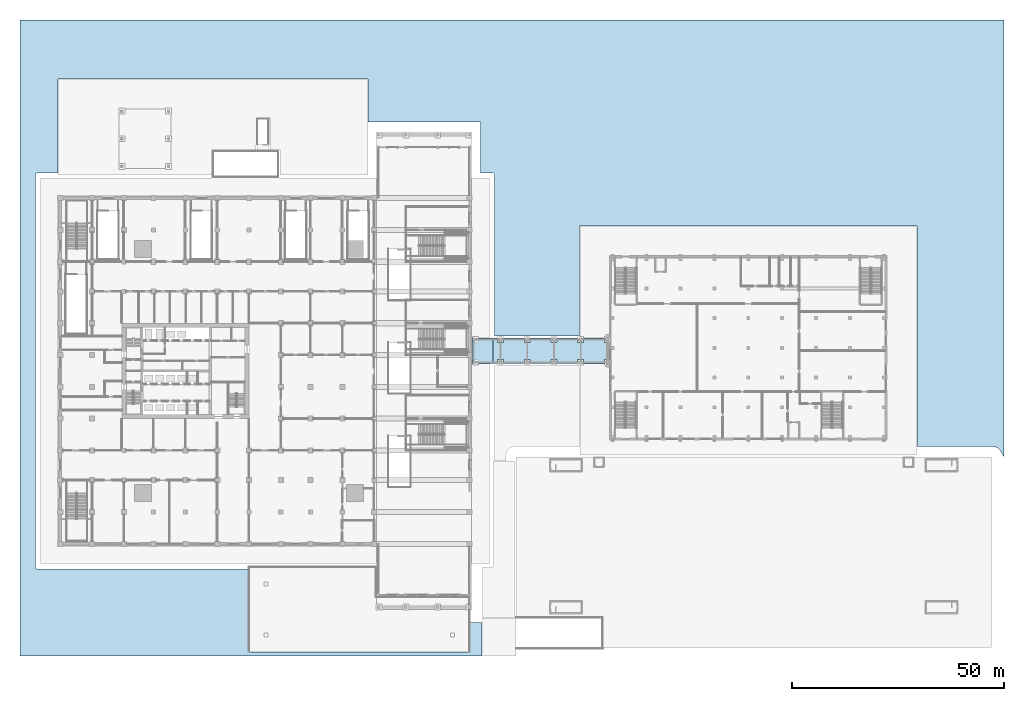
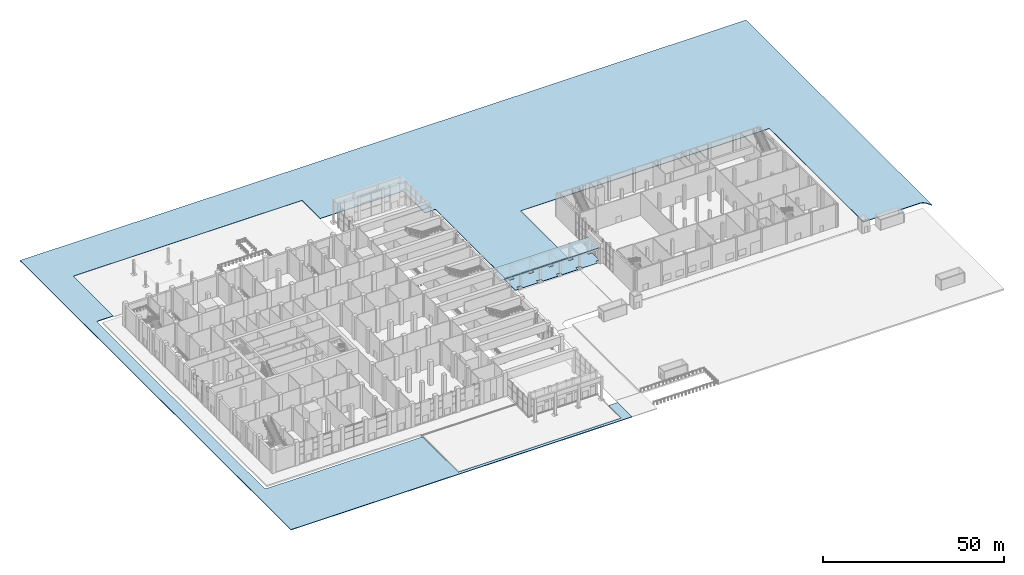
# One storey, part 21 of 57: 3 slabs, 1 element without a shape of its own.
"""IFC4 building model written with IfcOpenShell, lengths in metres."""

import ifcopenshell
import ifcopenshell.guid

model = None  # the IFC model being written
_history = None  # IfcOwnerHistory: only IFC2X3 demands one
_inside = {}  # id of a spatial element -> (the spatial element, [elements in it])
_under = {}  # id of a project, library or spatial element -> (it, [spatial elements below it])
_declared = {}  # id of a project -> (the project, [libraries it declares])
_typed = {}  # id of a type object -> (the type object, [elements of that type])
_made_of = {}  # id of a material, layer set ... -> (it, [elements and type objects made of it])


def new_model(schema):
    """Start an empty IFC model of exactly this schema.

    Asked for "IFC4X3", IfcOpenShell would pick the latest addendum, in which some entities
    have other attributes; the version numbers below select the first issue.
    IFC2X3 requires an IfcOwnerHistory on every rooted entity: one is made here for all.
    """
    global model, _history
    if schema == "IFC4X3":
        model = ifcopenshell.file(schema_version=(4, 3, 0, 0))
    else:
        model = ifcopenshell.file(schema=schema)
    _inside.clear()
    _under.clear()
    _declared.clear()
    _typed.clear()
    _made_of.clear()
    _history = None
    if model.schema == "IFC2X3":
        org = make("IfcOrganization", Name="unknown")
        user = make(
            "IfcPersonAndOrganization",
            ThePerson=make("IfcPerson", FamilyName="unknown"),
            TheOrganization=org,
        )
        app = make(
            "IfcApplication",
            ApplicationDeveloper=org,
            Version="unknown",
            ApplicationFullName="unknown",
            ApplicationIdentifier="unknown",
        )
        _history = make(
            "IfcOwnerHistory",
            OwningUser=user,
            OwningApplication=app,
            ChangeAction="ADDED",
            CreationDate=0,
        )
    return model


def make(cls, **values):
    """One entity of the class cls with the attributes given. An attribute that is None is left unset."""
    return model.create_entity(
        cls, **{name: value for name, value in values.items() if value is not None}
    )


def rooted(cls, **values):
    """An entity with a GlobalId (a new one), such as an element, a storey or a relation."""
    return make(cls, GlobalId=ifcopenshell.guid.new(), OwnerHistory=_history, **values)


def si_unit(unit_type, name, prefix=None):
    """IfcSIUnit, for example si_unit("LENGTHUNIT", "METRE", prefix="MILLI")."""
    return make("IfcSIUnit", UnitType=unit_type, Prefix=prefix, Name=name)


def assignment(units):
    """IfcUnitAssignment: the units of a project."""
    return None if units is None else make("IfcUnitAssignment", Units=units)


def point(xyz):
    """IfcCartesianPoint."""
    return None if xyz is None else make("IfcCartesianPoint", Coordinates=xyz)


def direction(xyz):
    """IfcDirection."""
    return None if xyz is None else make("IfcDirection", DirectionRatios=xyz)


def frame(location, z_axis=None, x_axis=None):
    """IfcAxis2Placement3D, a coordinate frame: its origin and axes. An axis left out is left unset."""
    return make(
        "IfcAxis2Placement3D",
        Location=point(location),
        Axis=direction(z_axis),
        RefDirection=direction(x_axis),
    )


def origin():
    """The frame at (0, 0, 0) with its axes left unset."""
    return frame((0.0, 0.0, 0.0))


def place(relative_to, where):
    """IfcLocalPlacement: puts the frame where relative to a parent placement (None: the world)."""
    return make(
        "IfcLocalPlacement", PlacementRelTo=relative_to, RelativePlacement=where
    )


def context(
    kind, dimensions, precision=None, world=None, true_north=None, identifier=None
):
    """IfcGeometricRepresentationContext, for example the 3D "Model" context."""
    return make(
        "IfcGeometricRepresentationContext",
        ContextIdentifier=identifier,
        ContextType=kind,
        CoordinateSpaceDimension=dimensions,
        Precision=precision,
        WorldCoordinateSystem=world,
        TrueNorth=true_north,
    )


def subcontext(parent, identifier, kind, view, scale=None):
    """IfcGeometricRepresentationSubContext, for example "Body" below "Model"."""
    return make(
        "IfcGeometricRepresentationSubContext",
        ContextIdentifier=identifier,
        ContextType=kind,
        ParentContext=parent,
        TargetScale=scale,
        TargetView=view,
    )


def project(units=None, contexts=None):
    """IfcProject with its units and contexts."""
    return rooted(
        "IfcProject",
        Name="project",
        RepresentationContexts=contexts,
        UnitsInContext=assignment(units),
    )


def spatial(cls, under=None, at=None, **own):
    """A site, building, storey or space (cls), placed at a placement, below another one or the project."""
    s = rooted(cls, ObjectPlacement=at, **own)
    if under is not None:
        _under.setdefault(under.id(), (under, []))[1].append(s)
    return s


def polyline(points):
    """IfcPolyline through the points."""
    return make("IfcPolyline", Points=[point(p) for p in points])


def outline(outer, holes=None, kind="AREA"):
    """IfcArbitraryClosedProfileDef: a profile drawn as a closed curve; with holes, ...WithVoids."""
    if holes is None:
        return make("IfcArbitraryClosedProfileDef", ProfileType=kind, OuterCurve=outer)
    return make(
        "IfcArbitraryProfileDefWithVoids",
        ProfileType=kind,
        OuterCurve=outer,
        InnerCurves=holes,
    )


def extrude(swept, where, along, depth):
    """IfcExtrudedAreaSolid: the profile swept, set in the frame where, extruded along a direction by depth."""
    return make(
        "IfcExtrudedAreaSolid",
        SweptArea=swept,
        Position=where,
        ExtrudedDirection=direction(along),
        Depth=depth,
    )


def shape(context_of_items, identifier, shape_type, items):
    """IfcShapeRepresentation: the items that make up one representation, for example the "Body"."""
    return make(
        "IfcShapeRepresentation",
        ContextOfItems=context_of_items,
        RepresentationIdentifier=identifier,
        RepresentationType=shape_type,
        Items=items,
    )


def material(Name=None, Category=None):
    """IfcMaterial."""
    return make("IfcMaterial", Name=Name, Category=Category)


def layer(
    of_material, thickness, ventilated=None, Name=None, Category=None, Priority=None
):
    """IfcMaterialLayer: one layer of a wall or slab, of a material (None: an air gap)."""
    return make(
        "IfcMaterialLayer",
        Material=of_material,
        LayerThickness=thickness,
        IsVentilated=ventilated,
        Name=Name,
        Category=Category,
        Priority=Priority,
    )


def layer_set(layers, Name=None):
    """IfcMaterialLayerSet."""
    return make("IfcMaterialLayerSet", MaterialLayers=layers, LayerSetName=Name)


def made_of(thing, what):
    """Note that an element or type object is made of a material, layer set ...; save() writes the relation."""
    if what is not None:
        _made_of.setdefault(what.id(), (what, []))[1].append(thing)
    return thing


def type_object(cls, material=None, **own):
    """A type object (cls), such as IfcWallType, which elements share."""
    return made_of(rooted(cls, **own), material)


def element(
    cls,
    number,
    at=None,
    inside=None,
    cuts=None,
    type_object=None,
    material=None,
    context=None,
    identifier="Body",
    shape_type=None,
    held_by="IfcProductDefinitionShape",
    body=None,
    shapes=None,
    **own,
):
    """One element of the class cls, such as IfcWall. Its Tag is "e" and its number.

    at: its placement. inside: the storey or other place that contains it. cuts: it is an
    opening in that element (IfcRelVoidsElement). A single representation is given by context,
    identifier, shape_type and body (its items); several are given by shapes. held_by: the class
    of the entity that holds the representations. save() writes the other relations.
    """
    e = rooted(cls, Tag="e%d" % number, ObjectPlacement=at, **own)
    if body is not None:
        shapes = [shape(context, identifier, shape_type, body)]
    if shapes is not None:
        e.Representation = make(held_by, Representations=shapes)
    if inside is not None:
        _inside.setdefault(inside.id(), (inside, []))[1].append(e)
    if cuts is not None:
        rooted(
            "IfcRelVoidsElement", RelatingBuildingElement=cuts, RelatedOpeningElement=e
        )
    if type_object is not None:
        _typed.setdefault(type_object.id(), (type_object, []))[1].append(e)
    return made_of(e, material)


def aggregate(whole, parts):
    """IfcRelAggregates: a whole, such as a stair, and the parts it consists of."""
    return rooted("IfcRelAggregates", RelatingObject=whole, RelatedObjects=parts)


def save(model, path):
    """Write the relations noted so far, then the file.

    IfcRelAggregates (storeys below a building ...), IfcRelContainedInSpatialStructure (elements
    in a storey), IfcRelDefinesByType, IfcRelAssociatesMaterial and IfcRelDeclares: one each for
    every whole, place, type object, material and project.
    """
    for whole, parts in _under.values():
        aggregate(whole, parts)
    for where, things in _inside.values():
        rooted(
            "IfcRelContainedInSpatialStructure",
            RelatedElements=things,
            RelatingStructure=where,
        )
    for kind, things in _typed.values():
        rooted("IfcRelDefinesByType", RelatedObjects=things, RelatingType=kind)
    for what, things in _made_of.values():
        rooted("IfcRelAssociatesMaterial", RelatedObjects=things, RelatingMaterial=what)
    for by, libraries in _declared.values():
        rooted("IfcRelDeclares", RelatingContext=by, RelatedDefinitions=libraries)
    model.write(path)


model = new_model("IFC4")

# Units and contexts
model_context = context("Model", 3, precision=1e-05, world=origin(), true_north=direction((0.0, 1.0)))
body_context = subcontext(model_context, "Body", "Model", "MODEL_VIEW")
ifc_project = project(units=[si_unit("LENGTHUNIT", "METRE"), si_unit("AREAUNIT", "SQUARE_METRE"), si_unit("VOLUMEUNIT", "CUBIC_METRE"), si_unit("PLANEANGLEUNIT", "RADIAN"), si_unit("MASSUNIT", "GRAM", prefix="KILO")], contexts=[model_context])

# Site, building, storey
site_placement = place(None, origin())
site = spatial("IfcSite", under=ifc_project, at=site_placement, CompositionType="ELEMENT")
building_placement = place(site_placement, origin())
building = spatial("IfcBuilding", under=site, at=building_placement, Name="Tamorin Gate", CompositionType="ELEMENT")
storey_placement = place(building_placement, origin())
storey = spatial("IfcBuildingStorey", under=building, at=storey_placement, Name="L00", CompositionType="ELEMENT", Elevation=0.0)

# Roof, slab
ifc_material_1 = material(Name="Concrete C40/50", Category="concrete")
roof_type = type_object("IfcRoofType", Name="Flat roof", PredefinedType="FLAT_ROOF", material=ifc_material_1)
roof_placement = place(storey_placement, origin())
roof = element("IfcRoof", 1, at=roof_placement, inside=storey, type_object=roof_type, Name="Arcade roof", PredefinedType="FLAT_ROOF")
ifc_layer_1 = layer(ifc_material_1, 0.25)
ifc_layer_set_1 = layer_set([ifc_layer_1], Name="Arcade roof slab 250 C40/50")
slab_type_1 = type_object("IfcSlabType", Name="Arcade roof slab 250 C40/50", PredefinedType="ROOF", material=ifc_layer_set_1)
slab_1_placement = place(storey_placement, frame((0.0, 0.0, 4.75)))
slab_1 = element("IfcSlab", 2, at=slab_1_placement, type_object=slab_type_1, Name="Arcade roof slab", PredefinedType="ROOF", context=body_context, shape_type="SweptSolid", body=[
    extrude(outline(polyline([(144.89990234375, 73.0), (144.89990234375, 79.0), (112.60009765625, 79.0), (112.60009765625, 73.0), (144.89990234375, 73.0)])), origin(), (0.0, 0.0, 1.0), 0.25),
])
aggregate(roof, [slab_1])

# Slabs
ifc_material_2 = material(Name="Concrete C30/37", Category="concrete")
ifc_layer_2 = layer(ifc_material_2, 0.199951171875)
ifc_layer_set_2 = layer_set([ifc_layer_2], Name="Paving slab 200 C30/37")
slab_type_2 = type_object("IfcSlabType", Name="Paving slab 200 C30/37", PredefinedType="BASESLAB", material=ifc_layer_set_2)
slab_2_placement = place(storey_placement, frame((0.0, 0.0, -0.199951171875)))
element("IfcSlab", 3, at=slab_2_placement, inside=storey, type_object=slab_type_2, Name="Arcade paving", PredefinedType="BASESLAB", context=body_context, shape_type="SweptSolid", body=[
    extrude(outline(polyline([(144.89990234375, 74.0), (143.800048828125, 74.0), (143.800048828125, 73.0), (138.89990234375, 73.0), (138.89990234375, 74.0), (137.5, 74.0), (137.5, 73.0), (132.60009765625, 73.0), (132.60009765625, 74.0), (131.199951171875, 74.0), (131.199951171875, 73.0), (126.300048828125, 73.0), (126.300048828125, 74.0), (124.89990234375, 74.0), (124.89990234375, 73.0), (120.0, 73.0), (120.0, 74.0), (118.60009765625, 74.0), (118.60009765625, 73.0), (117.550048828125, 73.0), (117.550048828125, 79.0), (118.60009765625, 79.0), (118.60009765625, 78.0), (120.0, 78.0), (120.0, 79.0), (124.89990234375, 79.0), (124.89990234375, 78.0), (126.300048828125, 78.0), (126.300048828125, 79.0), (131.199951171875, 79.0), (131.199951171875, 78.0), (132.60009765625, 78.0), (132.60009765625, 79.0), (137.5, 79.0), (137.5, 78.0), (138.89990234375, 78.0), (138.89990234375, 79.0), (143.800048828125, 79.0), (143.800048828125, 78.0), (144.89990234375, 78.0), (144.89990234375, 74.0)])), origin(), (0.0, 0.0, 1.0), 0.199951171875),
])
slab_3_placement = place(storey_placement, frame((0.0, 0.0, -0.199951171875)))
element("IfcSlab", 4, at=slab_3_placement, inside=storey, type_object=slab_type_2, Name="Site ground paving", PredefinedType="BASESLAB", context=body_context, shape_type="SweptSolid", body=[
    extrude(outline(polyline([(238.0, 154.0), (238.0, 50.94775390625), (237.06298828125, 52.51123046875), (236.946044921875, 52.668701171875), (236.814208984375, 52.814208984375), (236.668701171875, 52.946044921875), (236.51123046875, 53.06298828125), (236.3427734375, 53.163818359375), (236.165283203125, 53.247802734375), (235.98046875, 53.31396484375), (235.790283203125, 53.361572265625), (235.595947265625, 53.390380859375), (235.39990234375, 53.39990234375), (217.449951171875, 53.39990234375), (217.449951171875, 105.39990234375), (217.44970703125, 105.40478515625), (217.448974609375, 105.40966796875), (217.44775390625, 105.41455078125), (217.4462890625, 105.419189453125), (217.444091796875, 105.423583984375), (217.441650390625, 105.427734375), (217.438720703125, 105.431640625), (217.435302734375, 105.435302734375), (217.431640625, 105.438720703125), (217.427734375, 105.441650390625), (217.423583984375, 105.444091796875), (217.419189453125, 105.4462890625), (217.41455078125, 105.44775390625), (217.40966796875, 105.448974609375), (217.40478515625, 105.44970703125), (217.39990234375, 105.449951171875), (138.0, 105.449951171875), (137.9951171875, 105.44970703125), (137.990234375, 105.448974609375), (137.985595703125, 105.44775390625), (137.98095703125, 105.4462890625), (137.976318359375, 105.444091796875), (137.97216796875, 105.441650390625), (137.96826171875, 105.438720703125), (137.964599609375, 105.435302734375), (137.96142578125, 105.431640625), (137.95849609375, 105.427734375), (137.955810546875, 105.423583984375), (137.953857421875, 105.419189453125), (137.9521484375, 105.41455078125), (137.950927734375, 105.40966796875), (137.9501953125, 105.40478515625), (137.949951171875, 105.39990234375), (137.949951171875, 79.5), (117.89990234375, 79.5), (117.89990234375, 117.5), (117.898193359375, 117.539306640625), (117.892333984375, 117.578125), (117.8828125, 117.6162109375), (117.86962890625, 117.653076171875), (117.852783203125, 117.6884765625), (117.83251953125, 117.72216796875), (117.809326171875, 117.753662109375), (117.782958984375, 117.782958984375), (117.753662109375, 117.809326171875), (117.72216796875, 117.83251953125), (117.6884765625, 117.852783203125), (117.653076171875, 117.86962890625), (117.6162109375, 117.8828125), (117.578125, 117.892333984375), (117.539306640625, 117.898193359375), (117.5, 117.89990234375), (114.60009765625, 117.89990234375), (114.60009765625, 130.0), (88.050048828125, 130.0), (88.050048828125, 140.0), (88.0498046875, 140.0048828125), (88.049072265625, 140.009765625), (88.0478515625, 140.014404296875), (88.046142578125, 140.01904296875), (88.044189453125, 140.023681640625), (88.04150390625, 140.02783203125), (88.03857421875, 140.03173828125), (88.035400390625, 140.035400390625), (88.03173828125, 140.03857421875), (88.02783203125, 140.04150390625), (88.023681640625, 140.044189453125), (88.01904296875, 140.046142578125), (88.014404296875, 140.0478515625), (88.009765625, 140.049072265625), (88.0048828125, 140.0498046875), (88.0, 140.050048828125), (15.0, 140.050048828125), (14.9951171875, 140.0498046875), (14.990234375, 140.049072265625), (14.985595703125, 140.0478515625), (14.98095703125, 140.046142578125), (14.976318359375, 140.044189453125), (14.97216796875, 140.04150390625), (14.96826171875, 140.03857421875), (14.964599609375, 140.035400390625), (14.96142578125, 140.03173828125), (14.95849609375, 140.02783203125), (14.955810546875, 140.023681640625), (14.953857421875, 140.01904296875), (14.9521484375, 140.014404296875), (14.950927734375, 140.009765625), (14.9501953125, 140.0048828125), (14.949951171875, 140.0), (14.949951171875, 117.89990234375), (10.0, 117.89990234375), (9.960693359375, 117.898193359375), (9.921875, 117.892333984375), (9.8837890625, 117.8828125), (9.846923828125, 117.86962890625), (9.8115234375, 117.852783203125), (9.77783203125, 117.83251953125), (9.746337890625, 117.809326171875), (9.717041015625, 117.782958984375), (9.690673828125, 117.753662109375), (9.66748046875, 117.72216796875), (9.647216796875, 117.6884765625), (9.63037109375, 117.653076171875), (9.6171875, 117.6162109375), (9.607666015625, 117.578125), (9.601806640625, 117.539306640625), (9.60009765625, 117.5), (9.60009765625, 25.0), (9.601806640625, 24.960693359375), (9.607666015625, 24.921875), (9.6171875, 24.8837890625), (9.63037109375, 24.846923828125), (9.647216796875, 24.8115234375), (9.66748046875, 24.77783203125), (9.690673828125, 24.746337890625), (9.717041015625, 24.717041015625), (9.746337890625, 24.690673828125), (9.77783203125, 24.66748046875), (9.8115234375, 24.647216796875), (9.846923828125, 24.63037109375), (9.8837890625, 24.6171875), (9.921875, 24.607666015625), (9.960693359375, 24.601806640625), (10.0, 24.60009765625), (59.949951171875, 24.60009765625), (59.949951171875, 5.0), (59.9501953125, 4.9951171875), (59.950927734375, 4.990234375), (59.9521484375, 4.985595703125), (59.953857421875, 4.98095703125), (59.955810546875, 4.976318359375), (59.95849609375, 4.97216796875), (59.96142578125, 4.96826171875), (59.964599609375, 4.964599609375), (59.96826171875, 4.96142578125), (59.97216796875, 4.95849609375), (59.976318359375, 4.955810546875), (59.98095703125, 4.953857421875), (59.985595703125, 4.9521484375), (59.990234375, 4.950927734375), (59.9951171875, 4.9501953125), (60.0, 4.949951171875), (112.0, 4.949951171875), (112.0048828125, 4.9501953125), (112.009765625, 4.950927734375), (112.014404296875, 4.9521484375), (112.01904296875, 4.953857421875), (112.023681640625, 4.955810546875), (112.02783203125, 4.95849609375), (112.03173828125, 4.96142578125), (112.035400390625, 4.964599609375), (112.03857421875, 4.96826171875), (112.04150390625, 4.97216796875), (112.044189453125, 4.976318359375), (112.046142578125, 4.98095703125), (112.0478515625, 4.985595703125), (112.049072265625, 4.990234375), (112.0498046875, 4.9951171875), (112.050048828125, 5.0), (112.050048828125, 12.0), (114.949951171875, 12.0), (114.949951171875, 4.0), (6.0, 4.0), (6.0, 154.0), (238.0, 154.0)])), origin(), (0.0, 0.0, 1.0), 0.199951171875),
])

save(model, "model.ifc")
